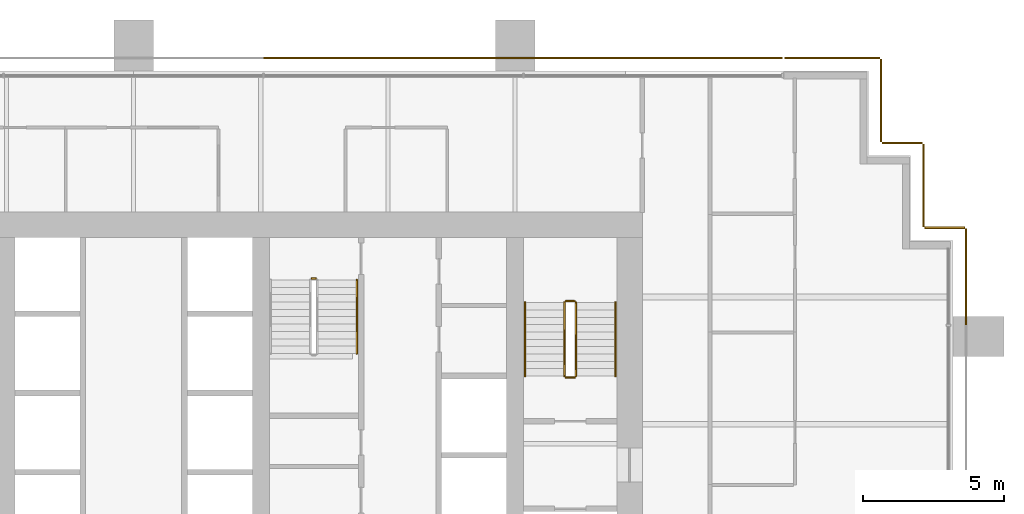
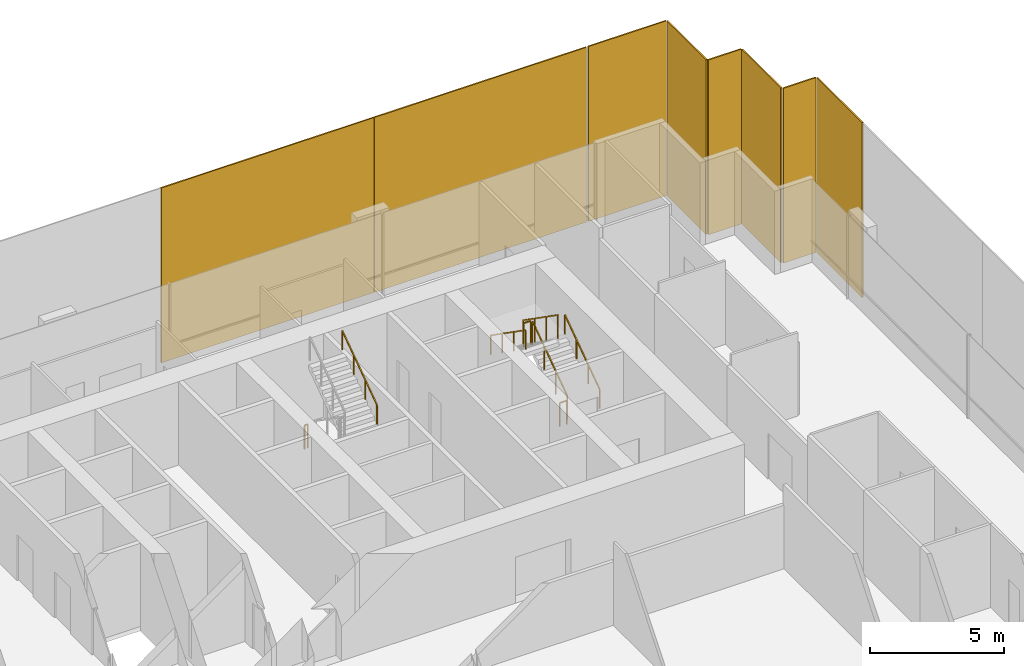
# One storey, part 17 of 17: 8 coverings, 8 railings.
"""IFC4 building model written with IfcOpenShell, lengths in metres."""

from ifc_helpers import new_model, si_unit, direction, frame, origin, origin_2d, place, context, subcontext, project, spatial, rectangle, extrude, material, layer, layer_set, type_object, element, save


model = new_model("IFC4")

# Units and contexts
model_context = context("Model", 3, precision=1e-05, world=origin(), true_north=direction((0.0, 1.0)))
body_context = subcontext(model_context, "Body", "Model", "MODEL_VIEW")
ifc_project = project(units=[si_unit("LENGTHUNIT", "METRE"), si_unit("AREAUNIT", "SQUARE_METRE"), si_unit("VOLUMEUNIT", "CUBIC_METRE"), si_unit("PLANEANGLEUNIT", "RADIAN"), si_unit("MASSUNIT", "GRAM", prefix="KILO")], contexts=[model_context])

# Site, building, storey
site_placement = place(None, origin())
site = spatial("IfcSite", under=ifc_project, at=site_placement, CompositionType="ELEMENT")
building_placement = place(site_placement, origin())
building = spatial("IfcBuilding", under=site, at=building_placement, Name="Rattan Terrace Tower", CompositionType="ELEMENT")
storey_placement = place(building_placement, frame((0.0, 0.0, 138.10009765625)))
storey = spatial("IfcBuildingStorey", under=building, at=storey_placement, Name="L31", CompositionType="ELEMENT", Elevation=138.10009765625)

# Railings
ifc_material_1 = material(Name="Powder-coated steel guard", Category="steel")
railing_type_1 = type_object("IfcRailingType", Name="Core stair guard", PredefinedType="GUARDRAIL", material=ifc_material_1)
railing_1_placement = place(storey_placement, frame((15.64990234375, 1.699951171875, 0.181640625)))
element("IfcRailing", 1, at=railing_1_placement, inside=storey, type_object=railing_type_1, Name="L31 S2 stair guard 1", PredefinedType="GUARDRAIL", context=body_context, shape_type="SweptSolid", body=[
    extrude(rectangle(XDim=0.048095703125, YDim=0.048095703125, at=origin_2d()), frame((0.0, 0.0, 1.076171875), z_axis=(0.0, 0.819484887739, 0.573100792852), x_axis=(-1.0, 0.0, 0.0)), (0.0, 0.0, 1.0), 3.1728515625),
    extrude(rectangle(XDim=0.0419921875, YDim=0.0419921875, at=origin_2d()), origin(), (0.0, 0.0, 1.0), 1.052001953125),
    extrude(rectangle(XDim=0.0419921875, YDim=0.0419921875, at=origin_2d()), frame((0.0, 0.86669921875, 0.606201171875)), (0.0, 0.0, 1.0), 1.052001953125),
    extrude(rectangle(XDim=0.0419921875, YDim=0.0419921875, at=origin_2d()), frame((0.0, 1.7333984375, 1.212158203125)), (0.0, 0.0, 1.0), 1.052001953125),
    extrude(rectangle(XDim=0.0419921875, YDim=0.0419921875, at=origin_2d()), frame((0.0, 2.60009765625, 1.818359375)), (0.0, 0.0, 1.0), 1.052001953125),
])
railing_2_placement = place(storey_placement, frame((15.60009765625, 4.35009765625, 2.0)))
element("IfcRailing", 2, at=railing_2_placement, inside=storey, type_object=railing_type_1, Name="L31 S2 stair guard 2", PredefinedType="GUARDRAIL", context=body_context, shape_type="SweptSolid", body=[
    extrude(rectangle(XDim=0.048095703125, YDim=0.048095703125, at=origin_2d()), frame((0.0, 0.0, 1.076171875), z_axis=(-1.0, 0.0, 0.0), x_axis=(0.0, -1.0, 0.0)), (0.0, 0.0, 1.0), 0.300048828125),
    extrude(rectangle(XDim=0.0419921875, YDim=0.0419921875, at=origin_2d()), origin(), (0.0, 0.0, 1.0), 1.052001953125),
    extrude(rectangle(XDim=0.0419921875, YDim=0.0419921875, at=origin_2d()), frame((-0.300048828125, 0.0, 0.0)), (0.0, 0.0, 1.0), 1.052001953125),
])
railing_3_placement = place(storey_placement, frame((15.25, 4.300048828125, 2.181640625)))
element("IfcRailing", 3, at=railing_3_placement, inside=storey, type_object=railing_type_1, Name="L31 S2 stair guard 3", PredefinedType="GUARDRAIL", context=body_context, shape_type="SweptSolid", body=[
    extrude(rectangle(XDim=0.048095703125, YDim=0.048095703125, at=origin_2d()), frame((0.0, 0.0, 1.076171875), z_axis=(0.0, -0.819484887739, 0.573100792852), x_axis=(1.0, 0.0, 0.0)), (0.0, 0.0, 1.0), 3.1728515625),
    extrude(rectangle(XDim=0.0419921875, YDim=0.0419921875, at=origin_2d()), origin(), (0.0, 0.0, 1.0), 1.052001953125),
    extrude(rectangle(XDim=0.0419921875, YDim=0.0419921875, at=origin_2d()), frame((0.0, -0.86669921875, 0.606201171875)), (0.0, 0.0, 1.0), 1.052001953125),
    extrude(rectangle(XDim=0.0419921875, YDim=0.0419921875, at=origin_2d()), frame((0.0, -1.7333984375, 1.212158203125)), (0.0, 0.0, 1.0), 1.052001953125),
    extrude(rectangle(XDim=0.0419921875, YDim=0.0419921875, at=origin_2d()), frame((0.0, -2.60009765625, 1.818359375)), (0.0, 0.0, 1.0), 1.052001953125),
])
railing_4_placement = place(storey_placement, frame((15.60009765625, 1.64990234375, 0.0)))
element("IfcRailing", 4, at=railing_4_placement, inside=storey, type_object=railing_type_1, Name="L31 S2 stair guard 4", PredefinedType="GUARDRAIL", context=body_context, shape_type="SweptSolid", body=[
    extrude(rectangle(XDim=0.048095703125, YDim=0.048095703125, at=origin_2d()), frame((0.0, 0.0, 1.076171875), z_axis=(-1.0, 0.0, 0.0), x_axis=(0.0, -1.0, 0.0)), (0.0, 0.0, 1.0), 0.300048828125),
    extrude(rectangle(XDim=0.0419921875, YDim=0.0419921875, at=origin_2d()), origin(), (0.0, 0.0, 1.0), 1.052001953125),
    extrude(rectangle(XDim=0.0419921875, YDim=0.0419921875, at=origin_2d()), frame((-0.300048828125, 0.0, 0.0)), (0.0, 0.0, 1.0), 1.052001953125),
])
railing_5_placement = place(storey_placement, frame((6.300048828125, 5.14990234375, 0.0)))
element("IfcRailing", 5, at=railing_5_placement, inside=storey, type_object=railing_type_1, Name="L31 S3 stair guard 4", PredefinedType="GUARDRAIL", context=body_context, shape_type="SweptSolid", body=[
    extrude(rectangle(XDim=0.048095703125, YDim=0.048095703125, at=origin_2d()), frame((0.0, 0.0, 1.076171875), z_axis=(1.0, 0.0, 0.0), x_axis=(0.0, 1.0, 0.0)), (0.0, 0.0, 1.0), 0.14990234375),
    extrude(rectangle(XDim=0.0419921875, YDim=0.0419921875, at=origin_2d()), origin(), (0.0, 0.0, 1.0), 1.052001953125),
    extrude(rectangle(XDim=0.0419921875, YDim=0.0419921875, at=origin_2d()), frame((0.14990234375, 0.0, 0.0)), (0.0, 0.0, 1.0), 1.052001953125),
])
ifc_material_2 = material(Name="Powder-coated steel handrail", Category="steel")
railing_type_2 = type_object("IfcRailingType", Name="Core stair handrail", PredefinedType="HANDRAIL", material=ifc_material_2)
railing_6_placement = place(storey_placement, frame((17.050048828125, 1.699951171875, 0.181640625)))
element("IfcRailing", 6, at=railing_6_placement, inside=storey, type_object=railing_type_2, Name="L31 S2 stair handrail 1", PredefinedType="HANDRAIL", context=body_context, shape_type="SweptSolid", body=[
    extrude(rectangle(XDim=0.048095703125, YDim=0.048095703125, at=origin_2d()), frame((0.0, 0.0, 0.8759765625), z_axis=(0.0, 0.819484887739, 0.573100792852), x_axis=(-1.0, 0.0, 0.0)), (0.0, 0.0, 1.0), 3.1728515625),
    extrude(rectangle(XDim=0.0419921875, YDim=0.0419921875, at=origin_2d()), origin(), (0.0, 0.0, 1.0), 0.851806640625),
    extrude(rectangle(XDim=0.0419921875, YDim=0.0419921875, at=origin_2d()), frame((0.0, 0.86669921875, 0.606201171875)), (0.0, 0.0, 1.0), 0.851806640625),
    extrude(rectangle(XDim=0.0419921875, YDim=0.0419921875, at=origin_2d()), frame((0.0, 1.7333984375, 1.212158203125)), (0.0, 0.0, 1.0), 0.851806640625),
    extrude(rectangle(XDim=0.0419921875, YDim=0.0419921875, at=origin_2d()), frame((0.0, 2.60009765625, 1.818359375)), (0.0, 0.0, 1.0), 0.851806640625),
])
railing_7_placement = place(storey_placement, frame((13.85009765625, 4.300048828125, 2.181640625)))
element("IfcRailing", 7, at=railing_7_placement, inside=storey, type_object=railing_type_2, Name="L31 S2 stair handrail 2", PredefinedType="HANDRAIL", context=body_context, shape_type="SweptSolid", body=[
    extrude(rectangle(XDim=0.048095703125, YDim=0.048095703125, at=origin_2d()), frame((0.0, 0.0, 0.8759765625), z_axis=(0.0, -0.819484887739, 0.573100792852), x_axis=(1.0, 0.0, 0.0)), (0.0, 0.0, 1.0), 3.1728515625),
    extrude(rectangle(XDim=0.0419921875, YDim=0.0419921875, at=origin_2d()), origin(), (0.0, 0.0, 1.0), 0.851806640625),
    extrude(rectangle(XDim=0.0419921875, YDim=0.0419921875, at=origin_2d()), frame((0.0, -0.86669921875, 0.606201171875)), (0.0, 0.0, 1.0), 0.851806640625),
    extrude(rectangle(XDim=0.0419921875, YDim=0.0419921875, at=origin_2d()), frame((0.0, -1.7333984375, 1.212158203125)), (0.0, 0.0, 1.0), 0.851806640625),
    extrude(rectangle(XDim=0.0419921875, YDim=0.0419921875, at=origin_2d()), frame((0.0, -2.60009765625, 1.818359375)), (0.0, 0.0, 1.0), 0.851806640625),
])
railing_8_placement = place(storey_placement, frame((7.89990234375, 2.5, 2.181640625)))
element("IfcRailing", 8, at=railing_8_placement, inside=storey, type_object=railing_type_2, Name="L31 S3 stair handrail 2", PredefinedType="HANDRAIL", context=body_context, shape_type="SweptSolid", body=[
    extrude(rectangle(XDim=0.048095703125, YDim=0.048095703125, at=origin_2d()), frame((0.0, 0.0, 0.8759765625), z_axis=(0.0, 0.819484887739, 0.573100792852), x_axis=(-1.0, 0.0, 0.0)), (0.0, 0.0, 1.0), 3.1728515625),
    extrude(rectangle(XDim=0.0419921875, YDim=0.0419921875, at=origin_2d()), origin(), (0.0, 0.0, 1.0), 0.851806640625),
    extrude(rectangle(XDim=0.0419921875, YDim=0.0419921875, at=origin_2d()), frame((0.0, 0.86669921875, 0.606201171875)), (0.0, 0.0, 1.0), 0.851806640625),
    extrude(rectangle(XDim=0.0419921875, YDim=0.0419921875, at=origin_2d()), frame((0.0, 1.7333984375, 1.212158203125)), (0.0, 0.0, 1.0), 0.851806640625),
    extrude(rectangle(XDim=0.0419921875, YDim=0.0419921875, at=origin_2d()), frame((0.0, 2.60009765625, 1.818359375)), (0.0, 0.0, 1.0), 0.851806640625),
])

# Coverings
ifc_material_3 = material(Name="Perforated terracotta", Category="masonry")
ifc_layer = layer(ifc_material_3, 0.06005859375)
ifc_layer_set = layer_set([ifc_layer], Name="Facade Terracotta Screen Panel")
covering_type = type_object("IfcCoveringType", Name="Facade Terracotta Screen Panel", PredefinedType="CLADDING", material=ifc_layer_set)
covering_1_placement = place(storey_placement, frame((29.449951171875, 5.2099609375, -0.190185546875), z_axis=(0.0, 0.0, 1.0), x_axis=(0.0, 1.0, 0.0)))
element("IfcCovering", 9, at=covering_1_placement, inside=storey, type_object=covering_type, Name="OUTER SKIN panel L31-9", PredefinedType="CLADDING", context=body_context, shape_type="SweptSolid", body=[
    extrude(rectangle(XDim=3.39990234375, YDim=0.06005859375, at=origin_2d()), origin(), (0.0, 0.0, 1.0), 7.97998046875),
])
covering_2_placement = place(storey_placement, frame((28.699951171875, 6.949951171875, -0.190185546875), z_axis=(0.0, 0.0, 1.0), x_axis=(-1.0, 0.0, 0.0)))
element("IfcCovering", 10, at=covering_2_placement, inside=storey, type_object=covering_type, Name="OUTER SKIN panel L31-10", PredefinedType="CLADDING", context=body_context, shape_type="SweptSolid", body=[
    extrude(rectangle(XDim=1.419921875, YDim=0.06005859375, at=origin_2d()), origin(), (0.0, 0.0, 1.0), 7.97998046875),
])
covering_3_placement = place(storey_placement, frame((27.949951171875, 8.449951171875, -0.190185546875), z_axis=(0.0, 0.0, 1.0), x_axis=(0.0, 1.0, 0.0)))
element("IfcCovering", 11, at=covering_3_placement, inside=storey, type_object=covering_type, Name="OUTER SKIN panel L31-11", PredefinedType="CLADDING", context=body_context, shape_type="SweptSolid", body=[
    extrude(rectangle(XDim=2.919921875, YDim=0.06005859375, at=origin_2d()), origin(), (0.0, 0.0, 1.0), 7.97998046875),
])
covering_4_placement = place(storey_placement, frame((27.199951171875, 9.949951171875, -0.190185546875), z_axis=(0.0, 0.0, 1.0), x_axis=(-1.0, 0.0, 0.0)))
element("IfcCovering", 12, at=covering_4_placement, inside=storey, type_object=covering_type, Name="OUTER SKIN panel L31-12", PredefinedType="CLADDING", context=body_context, shape_type="SweptSolid", body=[
    extrude(rectangle(XDim=1.419921875, YDim=0.06005859375, at=origin_2d()), origin(), (0.0, 0.0, 1.0), 7.97998046875),
])
covering_5_placement = place(storey_placement, frame((26.449951171875, 11.449951171875, -0.190185546875), z_axis=(0.0, 0.0, 1.0), x_axis=(0.0, 1.0, 0.0)))
element("IfcCovering", 13, at=covering_5_placement, inside=storey, type_object=covering_type, Name="OUTER SKIN panel L31-13", PredefinedType="CLADDING", context=body_context, shape_type="SweptSolid", body=[
    extrude(rectangle(XDim=2.919921875, YDim=0.06005859375, at=origin_2d()), origin(), (0.0, 0.0, 1.0), 7.97998046875),
])
covering_6_placement = place(storey_placement, frame((24.72509765625, 12.949951171875, -0.190185546875), z_axis=(0.0, 0.0, 1.0), x_axis=(-1.0, 0.0, 0.0)))
element("IfcCovering", 14, at=covering_6_placement, inside=storey, type_object=covering_type, Name="OUTER SKIN panel L31-14", PredefinedType="CLADDING", context=body_context, shape_type="SweptSolid", body=[
    extrude(rectangle(XDim=3.3701171875, YDim=0.06005859375, at=origin_2d()), origin(), (0.0, 0.0, 1.0), 7.97998046875),
])
covering_7_placement = place(storey_placement, frame((18.384521484375, 12.949951171875, -0.190185546875), z_axis=(0.0, 0.0, 1.0), x_axis=(-1.0, 0.0, 0.0)))
element("IfcCovering", 15, at=covering_7_placement, inside=storey, type_object=covering_type, Name="OUTER SKIN panel L31-15", PredefinedType="CLADDING", context=body_context, shape_type="SweptSolid", body=[
    extrude(rectangle(XDim=9.15087890625, YDim=0.06005859375, at=origin_2d()), origin(), (0.0, 0.0, 1.0), 7.97998046875),
])
covering_8_placement = place(storey_placement, frame((9.198486328125, 12.949951171875, -0.190185546875), z_axis=(0.0, 0.0, 1.0), x_axis=(-1.0, 0.0, 0.0)))
element("IfcCovering", 16, at=covering_8_placement, inside=storey, type_object=covering_type, Name="OUTER SKIN panel L31-16", PredefinedType="CLADDING", context=body_context, shape_type="SweptSolid", body=[
    extrude(rectangle(XDim=9.180908203125, YDim=0.06005859375, at=origin_2d()), origin(), (0.0, 0.0, 1.0), 7.97998046875),
])

save(model, "model.ifc")
